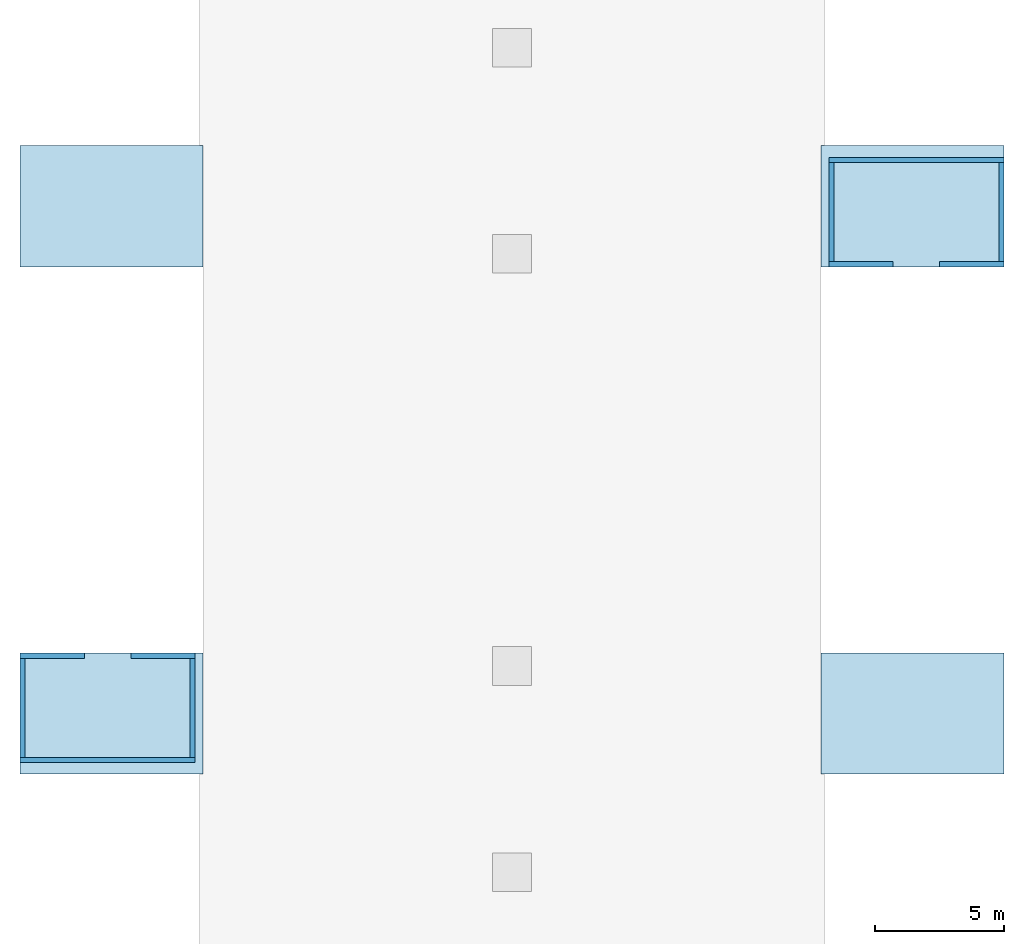
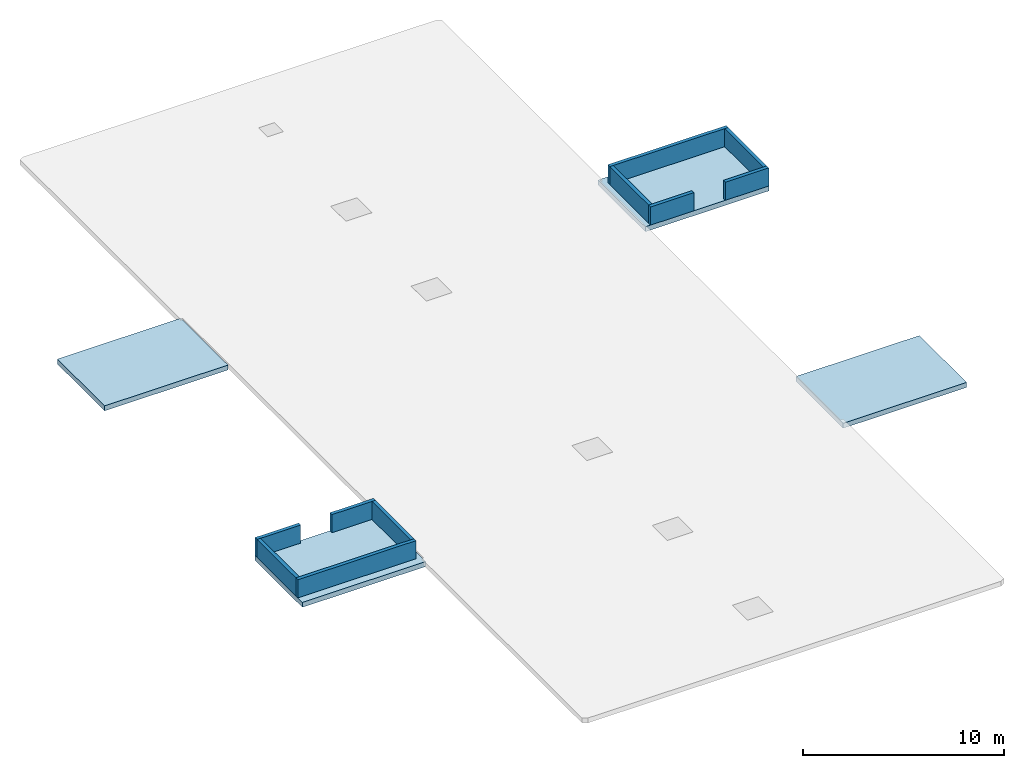
# One storey, part 1 of 2: 10 walls, 4 slabs.
"""IFC4 building model written with IfcOpenShell, lengths in metres."""

import ifcopenshell
import ifcopenshell.guid

model = None  # the IFC model being written
_history = None  # IfcOwnerHistory: only IFC2X3 demands one
_inside = {}  # id of a spatial element -> (the spatial element, [elements in it])
_under = {}  # id of a project, library or spatial element -> (it, [spatial elements below it])
_declared = {}  # id of a project -> (the project, [libraries it declares])
_typed = {}  # id of a type object -> (the type object, [elements of that type])
_made_of = {}  # id of a material, layer set ... -> (it, [elements and type objects made of it])


def new_model(schema):
    """Start an empty IFC model of exactly this schema.

    Asked for "IFC4X3", IfcOpenShell would pick the latest addendum, in which some entities
    have other attributes; the version numbers below select the first issue.
    IFC2X3 requires an IfcOwnerHistory on every rooted entity: one is made here for all.
    """
    global model, _history
    if schema == "IFC4X3":
        model = ifcopenshell.file(schema_version=(4, 3, 0, 0))
    else:
        model = ifcopenshell.file(schema=schema)
    _inside.clear()
    _under.clear()
    _declared.clear()
    _typed.clear()
    _made_of.clear()
    _history = None
    if model.schema == "IFC2X3":
        org = make("IfcOrganization", Name="unknown")
        user = make(
            "IfcPersonAndOrganization",
            ThePerson=make("IfcPerson", FamilyName="unknown"),
            TheOrganization=org,
        )
        app = make(
            "IfcApplication",
            ApplicationDeveloper=org,
            Version="unknown",
            ApplicationFullName="unknown",
            ApplicationIdentifier="unknown",
        )
        _history = make(
            "IfcOwnerHistory",
            OwningUser=user,
            OwningApplication=app,
            ChangeAction="ADDED",
            CreationDate=0,
        )
    return model


def make(cls, **values):
    """One entity of the class cls with the attributes given. An attribute that is None is left unset."""
    return model.create_entity(
        cls, **{name: value for name, value in values.items() if value is not None}
    )


def rooted(cls, **values):
    """An entity with a GlobalId (a new one), such as an element, a storey or a relation."""
    return make(cls, GlobalId=ifcopenshell.guid.new(), OwnerHistory=_history, **values)


def si_unit(unit_type, name, prefix=None):
    """IfcSIUnit, for example si_unit("LENGTHUNIT", "METRE", prefix="MILLI")."""
    return make("IfcSIUnit", UnitType=unit_type, Prefix=prefix, Name=name)


def assignment(units):
    """IfcUnitAssignment: the units of a project."""
    return None if units is None else make("IfcUnitAssignment", Units=units)


def point(xyz):
    """IfcCartesianPoint."""
    return None if xyz is None else make("IfcCartesianPoint", Coordinates=xyz)


def direction(xyz):
    """IfcDirection."""
    return None if xyz is None else make("IfcDirection", DirectionRatios=xyz)


def frame(location, z_axis=None, x_axis=None):
    """IfcAxis2Placement3D, a coordinate frame: its origin and axes. An axis left out is left unset."""
    return make(
        "IfcAxis2Placement3D",
        Location=point(location),
        Axis=direction(z_axis),
        RefDirection=direction(x_axis),
    )


def frame_2d(location, x_axis=None):
    """IfcAxis2Placement2D, a coordinate frame in the plane: its origin and x axis."""
    return make(
        "IfcAxis2Placement2D", Location=point(location), RefDirection=direction(x_axis)
    )


def origin():
    """The frame at (0, 0, 0) with its axes left unset."""
    return frame((0.0, 0.0, 0.0))


def place(relative_to, where):
    """IfcLocalPlacement: puts the frame where relative to a parent placement (None: the world)."""
    return make(
        "IfcLocalPlacement", PlacementRelTo=relative_to, RelativePlacement=where
    )


def context(
    kind, dimensions, precision=None, world=None, true_north=None, identifier=None
):
    """IfcGeometricRepresentationContext, for example the 3D "Model" context."""
    return make(
        "IfcGeometricRepresentationContext",
        ContextIdentifier=identifier,
        ContextType=kind,
        CoordinateSpaceDimension=dimensions,
        Precision=precision,
        WorldCoordinateSystem=world,
        TrueNorth=true_north,
    )


def subcontext(parent, identifier, kind, view, scale=None):
    """IfcGeometricRepresentationSubContext, for example "Body" below "Model"."""
    return make(
        "IfcGeometricRepresentationSubContext",
        ContextIdentifier=identifier,
        ContextType=kind,
        ParentContext=parent,
        TargetScale=scale,
        TargetView=view,
    )


def project(units=None, contexts=None):
    """IfcProject with its units and contexts."""
    return rooted(
        "IfcProject",
        Name="project",
        RepresentationContexts=contexts,
        UnitsInContext=assignment(units),
    )


def spatial(cls, under=None, at=None, **own):
    """A site, building, storey or space (cls), placed at a placement, below another one or the project."""
    s = rooted(cls, ObjectPlacement=at, **own)
    if under is not None:
        _under.setdefault(under.id(), (under, []))[1].append(s)
    return s


def polyline(points):
    """IfcPolyline through the points."""
    return make("IfcPolyline", Points=[point(p) for p in points])


def profile(cls, at=None, kind="AREA", **sizes):
    """A parametric profile (cls). Its sizes go by their IFC names, for example OverallWidth=200.0."""
    return make(cls, ProfileType=kind, Position=at, **sizes)


def rectangle(**sizes):
    """IfcRectangleProfileDef."""
    return profile("IfcRectangleProfileDef", **sizes)


def outline(outer, holes=None, kind="AREA"):
    """IfcArbitraryClosedProfileDef: a profile drawn as a closed curve; with holes, ...WithVoids."""
    if holes is None:
        return make("IfcArbitraryClosedProfileDef", ProfileType=kind, OuterCurve=outer)
    return make(
        "IfcArbitraryProfileDefWithVoids",
        ProfileType=kind,
        OuterCurve=outer,
        InnerCurves=holes,
    )


def extrude(swept, where, along, depth):
    """IfcExtrudedAreaSolid: the profile swept, set in the frame where, extruded along a direction by depth."""
    return make(
        "IfcExtrudedAreaSolid",
        SweptArea=swept,
        Position=where,
        ExtrudedDirection=direction(along),
        Depth=depth,
    )


def shape(context_of_items, identifier, shape_type, items):
    """IfcShapeRepresentation: the items that make up one representation, for example the "Body"."""
    return make(
        "IfcShapeRepresentation",
        ContextOfItems=context_of_items,
        RepresentationIdentifier=identifier,
        RepresentationType=shape_type,
        Items=items,
    )


def material(Name=None, Category=None):
    """IfcMaterial."""
    return make("IfcMaterial", Name=Name, Category=Category)


def layer(
    of_material, thickness, ventilated=None, Name=None, Category=None, Priority=None
):
    """IfcMaterialLayer: one layer of a wall or slab, of a material (None: an air gap)."""
    return make(
        "IfcMaterialLayer",
        Material=of_material,
        LayerThickness=thickness,
        IsVentilated=ventilated,
        Name=Name,
        Category=Category,
        Priority=Priority,
    )


def layer_set(layers, Name=None):
    """IfcMaterialLayerSet."""
    return make("IfcMaterialLayerSet", MaterialLayers=layers, LayerSetName=Name)


def made_of(thing, what):
    """Note that an element or type object is made of a material, layer set ...; save() writes the relation."""
    if what is not None:
        _made_of.setdefault(what.id(), (what, []))[1].append(thing)
    return thing


def type_object(cls, material=None, **own):
    """A type object (cls), such as IfcWallType, which elements share."""
    return made_of(rooted(cls, **own), material)


def element(
    cls,
    number,
    at=None,
    inside=None,
    cuts=None,
    type_object=None,
    material=None,
    context=None,
    identifier="Body",
    shape_type=None,
    held_by="IfcProductDefinitionShape",
    body=None,
    shapes=None,
    **own,
):
    """One element of the class cls, such as IfcWall. Its Tag is "e" and its number.

    at: its placement. inside: the storey or other place that contains it. cuts: it is an
    opening in that element (IfcRelVoidsElement). A single representation is given by context,
    identifier, shape_type and body (its items); several are given by shapes. held_by: the class
    of the entity that holds the representations. save() writes the other relations.
    """
    e = rooted(cls, Tag="e%d" % number, ObjectPlacement=at, **own)
    if body is not None:
        shapes = [shape(context, identifier, shape_type, body)]
    if shapes is not None:
        e.Representation = make(held_by, Representations=shapes)
    if inside is not None:
        _inside.setdefault(inside.id(), (inside, []))[1].append(e)
    if cuts is not None:
        rooted(
            "IfcRelVoidsElement", RelatingBuildingElement=cuts, RelatedOpeningElement=e
        )
    if type_object is not None:
        _typed.setdefault(type_object.id(), (type_object, []))[1].append(e)
    return made_of(e, material)


def aggregate(whole, parts):
    """IfcRelAggregates: a whole, such as a stair, and the parts it consists of."""
    return rooted("IfcRelAggregates", RelatingObject=whole, RelatedObjects=parts)


def save(model, path):
    """Write the relations noted so far, then the file.

    IfcRelAggregates (storeys below a building ...), IfcRelContainedInSpatialStructure (elements
    in a storey), IfcRelDefinesByType, IfcRelAssociatesMaterial and IfcRelDeclares: one each for
    every whole, place, type object, material and project.
    """
    for whole, parts in _under.values():
        aggregate(whole, parts)
    for where, things in _inside.values():
        rooted(
            "IfcRelContainedInSpatialStructure",
            RelatedElements=things,
            RelatingStructure=where,
        )
    for kind, things in _typed.values():
        rooted("IfcRelDefinesByType", RelatedObjects=things, RelatingType=kind)
    for what, things in _made_of.values():
        rooted("IfcRelAssociatesMaterial", RelatedObjects=things, RelatingMaterial=what)
    for by, libraries in _declared.values():
        rooted("IfcRelDeclares", RelatingContext=by, RelatedDefinitions=libraries)
    model.write(path)


model = new_model("IFC4")

# Units and contexts
model_context = context("Model", 3, precision=1e-05, world=origin(), true_north=direction((0.0, 1.0)))
body_context = subcontext(model_context, "Body", "Model", "MODEL_VIEW")
ifc_project = project(units=[si_unit("LENGTHUNIT", "METRE"), si_unit("AREAUNIT", "SQUARE_METRE"), si_unit("VOLUMEUNIT", "CUBIC_METRE"), si_unit("PLANEANGLEUNIT", "RADIAN"), si_unit("MASSUNIT", "GRAM", prefix="KILO")], contexts=[model_context])

# Site, building, storey
site_placement = place(None, origin())
site = spatial("IfcSite", under=ifc_project, at=site_placement, CompositionType="ELEMENT")
building_placement = place(site_placement, origin())
building = spatial("IfcBuilding", under=site, at=building_placement, Name="Crosswind Convention Tower", CompositionType="ELEMENT")
storey_placement = place(building_placement, frame((0.0, 0.0, 361.0)))
storey = spatial("IfcBuildingStorey", under=building, at=storey_placement, Name="UPPER ROOF", CompositionType="ELEMENT", Elevation=361.0)

# Slabs
ifc_material = material(Name="Concrete C40/50", Category="concrete")
ifc_layer_1 = layer(ifc_material, 0.300048828125)
ifc_layer_set_1 = layer_set([ifc_layer_1], Name="Concrete C40/50")
slab_type = type_object("IfcSlabType", Name="Concrete stair head roof slab 300", PredefinedType="ROOF", material=ifc_layer_set_1)
slab_1_placement = place(storey_placement, frame((0.0, 0.0, -0.300048828125)))
element("IfcSlab", 1, at=slab_1_placement, inside=storey, type_object=slab_type, Name="Stair head roof slab EP", PredefinedType="ROOF", context=body_context, shape_type="SweptSolid", body=[
    extrude(outline(polyline([(137.0, 107.5), (144.10009765625, 107.5), (144.10009765625, 112.199951171875), (137.0, 112.199951171875), (137.0, 107.5)])), origin(), (0.0, 0.0, 1.0), 0.300048828125),
])
slab_2_placement = place(storey_placement, frame((0.0, 0.0, -0.300048828125)))
element("IfcSlab", 2, at=slab_2_placement, inside=storey, type_object=slab_type, Name="Stair head roof slab EM", PredefinedType="ROOF", context=body_context, shape_type="SweptSolid", body=[
    extrude(outline(polyline([(137.0, 87.800048828125), (144.10009765625, 87.800048828125), (144.10009765625, 92.5), (137.0, 92.5), (137.0, 87.800048828125)])), origin(), (0.0, 0.0, 1.0), 0.300048828125),
])
slab_3_placement = place(storey_placement, frame((0.0, 0.0, -0.300048828125)))
element("IfcSlab", 3, at=slab_3_placement, inside=storey, type_object=slab_type, Name="Stair head roof slab WP", PredefinedType="ROOF", context=body_context, shape_type="SweptSolid", body=[
    extrude(outline(polyline([(105.89990234375, 87.800048828125), (113.0, 87.800048828125), (113.0, 92.5), (105.89990234375, 92.5), (105.89990234375, 87.800048828125)])), origin(), (0.0, 0.0, 1.0), 0.300048828125),
])
slab_4_placement = place(storey_placement, frame((0.0, 0.0, -0.300048828125)))
element("IfcSlab", 4, at=slab_4_placement, inside=storey, type_object=slab_type, Name="Stair head roof slab WM", PredefinedType="ROOF", context=body_context, shape_type="SweptSolid", body=[
    extrude(outline(polyline([(105.89990234375, 107.5), (113.0, 107.5), (113.0, 112.199951171875), (105.89990234375, 112.199951171875), (105.89990234375, 107.5)])), origin(), (0.0, 0.0, 1.0), 0.300048828125),
])

# Walls
ifc_layer_2 = layer(ifc_material, 0.199951171875)
ifc_layer_set_2 = layer_set([ifc_layer_2], Name="Concrete C40/50")
wall_type = type_object("IfcWallType", Name="Roof parapet 1100", PredefinedType="PARAPET", material=ifc_layer_set_2)
for number, where, z_axis, x_axis, name in (
    (5, (137.300048828125, 107.60009765625, 0.0), (0.0, 0.0, 1.0), (1.0, 0.0, 0.0), "Roof parapet ES1"),
    (6, (141.60009765625, 107.60009765625, 0.0), (0.0, 0.0, 1.0), (1.0, 0.0, 0.0), "Roof parapet ES2"),
):
    element("IfcWall", number, at=place(storey_placement, frame(where, z_axis=z_axis, x_axis=x_axis)), inside=storey, type_object=wall_type, Name=name, PredefinedType="PARAPET", context=body_context, shape_type="SweptSolid", body=[
        extrude(rectangle(XDim=2.5, YDim=0.199951171875, at=frame_2d((1.25, 0.0))), origin(), (0.0, 0.0, 1.0), 1.10009765625),
    ])
for number, where, z_axis, x_axis, name in (
    (7, (137.39990234375, 107.699951171875, 0.0), (0.0, 0.0, 1.0), (0.0, 1.0, 0.0), "Roof parapet EW"),
    (8, (144.0, 107.699951171875, 0.0), (0.0, 0.0, 1.0), (0.0, 1.0, 0.0), "Roof parapet EE"),
):
    element("IfcWall", number, at=place(storey_placement, frame(where, z_axis=z_axis, x_axis=x_axis)), inside=storey, type_object=wall_type, Name=name, PredefinedType="PARAPET", context=body_context, shape_type="SweptSolid", body=[
        extrude(rectangle(XDim=3.85009765625, YDim=0.199951171875, at=frame_2d((1.925048828125, 0.0))), origin(), (0.0, 0.0, 1.0), 1.10009765625),
    ])
wall_1_placement = place(storey_placement, frame((137.300048828125, 111.64990234375, 0.0), z_axis=(0.0, 0.0, 1.0), x_axis=(1.0, 0.0, 0.0)))
element("IfcWall", 9, at=wall_1_placement, inside=storey, type_object=wall_type, Name="Roof parapet EN", PredefinedType="PARAPET", context=body_context, shape_type="SweptSolid", body=[
    extrude(rectangle(XDim=6.800048828125, YDim=0.199951171875, at=frame_2d((3.39990234375, 0.0))), origin(), (0.0, 0.0, 1.0), 1.10009765625),
])
for number, where, z_axis, x_axis, name in (
    (10, (112.699951171875, 92.39990234375, 0.0), (0.0, 0.0, 1.0), (-1.0, 0.0, 0.0), "Roof parapet WS1"),
    (11, (108.39990234375, 92.39990234375, 0.0), (0.0, 0.0, 1.0), (-1.0, 0.0, 0.0), "Roof parapet WS2"),
):
    element("IfcWall", number, at=place(storey_placement, frame(where, z_axis=z_axis, x_axis=x_axis)), inside=storey, type_object=wall_type, Name=name, PredefinedType="PARAPET", context=body_context, shape_type="SweptSolid", body=[
        extrude(rectangle(XDim=2.5, YDim=0.199951171875, at=frame_2d((1.25, 0.0))), origin(), (0.0, 0.0, 1.0), 1.10009765625),
    ])
for number, where, z_axis, x_axis, name in (
    (12, (112.60009765625, 92.300048828125, 0.0), (0.0, 0.0, 1.0), (0.0, -1.0, 0.0), "Roof parapet WW"),
    (13, (106.0, 92.300048828125, 0.0), (0.0, 0.0, 1.0), (0.0, -1.0, 0.0), "Roof parapet WE"),
):
    element("IfcWall", number, at=place(storey_placement, frame(where, z_axis=z_axis, x_axis=x_axis)), inside=storey, type_object=wall_type, Name=name, PredefinedType="PARAPET", context=body_context, shape_type="SweptSolid", body=[
        extrude(rectangle(XDim=3.85009765625, YDim=0.199951171875, at=frame_2d((1.925048828125, 0.0))), origin(), (0.0, 0.0, 1.0), 1.10009765625),
    ])
wall_2_placement = place(storey_placement, frame((112.699951171875, 88.35009765625, 0.0), z_axis=(0.0, 0.0, 1.0), x_axis=(-1.0, 0.0, 0.0)))
element("IfcWall", 14, at=wall_2_placement, inside=storey, type_object=wall_type, Name="Roof parapet WN", PredefinedType="PARAPET", context=body_context, shape_type="SweptSolid", body=[
    extrude(rectangle(XDim=6.800048828125, YDim=0.199951171875, at=frame_2d((3.39990234375, 0.0))), origin(), (0.0, 0.0, 1.0), 1.10009765625),
])

save(model, "model.ifc")
